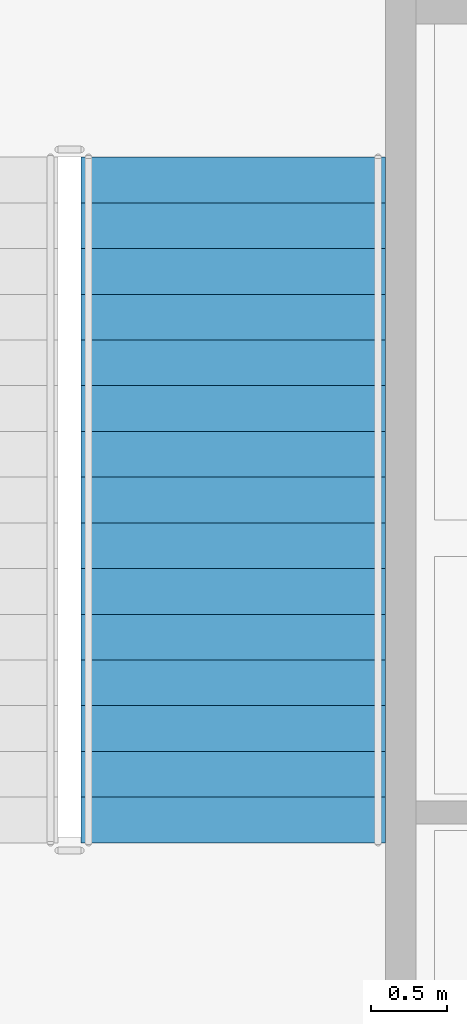
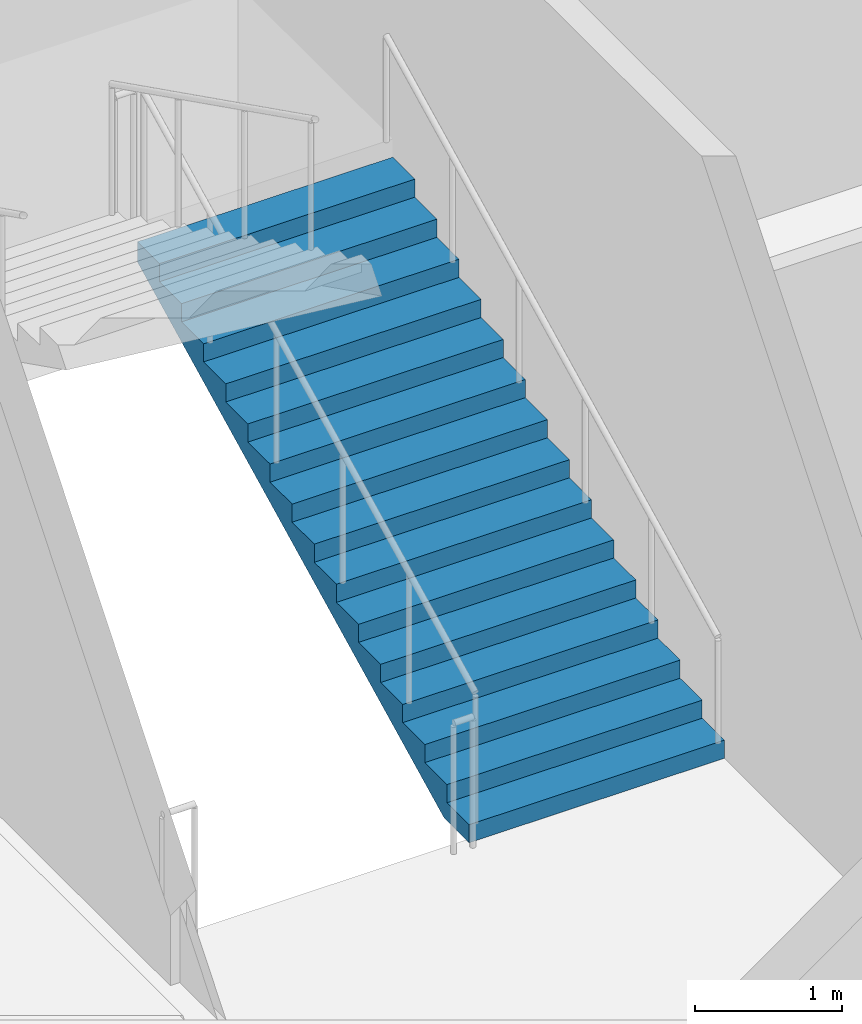
# One storey, part 55 of 91: 1 stair flight, 1 element without a shape of its own.
"""IFC4 building model written with IfcOpenShell, lengths in metres."""

from ifc_helpers import new_model, si_unit, direction, frame, origin, place, context, subcontext, project, spatial, faceted_brep, material, type_object, element, aggregate, save


model = new_model("IFC4")

# Units and contexts
model_context = context("Model", 3, precision=1e-05, world=origin(), true_north=direction((0.0, 1.0)))
body_context = subcontext(model_context, "Body", "Model", "MODEL_VIEW")
ifc_project = project(units=[si_unit("LENGTHUNIT", "METRE"), si_unit("AREAUNIT", "SQUARE_METRE"), si_unit("VOLUMEUNIT", "CUBIC_METRE"), si_unit("PLANEANGLEUNIT", "RADIAN"), si_unit("MASSUNIT", "GRAM", prefix="KILO")], contexts=[model_context])

# Site, building, storey
site_placement = place(None, origin())
site = spatial("IfcSite", under=ifc_project, at=site_placement, CompositionType="ELEMENT")
building_placement = place(site_placement, origin())
building = spatial("IfcBuilding", under=site, at=building_placement, Name="Kiln Court Media Centre", CompositionType="ELEMENT")
storey_placement = place(building_placement, frame((0.0, 0.0, 5.39990234375)))
storey = spatial("IfcBuildingStorey", under=building, at=storey_placement, Name="L01", CompositionType="ELEMENT", Elevation=5.39990234375)

# Stair, stair flight
ifc_material_1 = material(Name="Concrete C40/50", Category="concrete")
stair_type = type_object("IfcStairType", Name="Concrete C40/50 dog-leg stair 2000 wide, 150 riser", PredefinedType="HALF_TURN_STAIR", material=ifc_material_1)
stair_placement = place(storey_placement, origin())
stair = element("IfcStair", 1, at=stair_placement, inside=storey, type_object=stair_type, Name="ST-09 L01", PredefinedType="HALF_TURN_STAIR")
ifc_material_2 = material(Name="Concrete C40/50", Category="concrete")
stair_flight_type = type_object("IfcStairFlightType", Name="Concrete C40/50 stair flight 2000 wide, 150 riser, 300 going", PredefinedType="STRAIGHT", material=ifc_material_2)
stair_flight_placement = place(storey_placement, frame((66.0, 28.0, 0.0), z_axis=(0.0, 0.0, 1.0), x_axis=(0.0, 1.0, 0.0)))
stair_flight = element("IfcStairFlight", 2, at=stair_flight_placement, type_object=stair_flight_type, Name="L01-ST-5008 flight 5016", NumberOfRisers=16, NumberOfTreads=15, PredefinedType="STRAIGHT", RiserHeight=0.15, TreadLength=0.3, context=body_context, shape_type="Brep", body=[
    faceted_brep([(0.335205078125, -1.0, 0.0), (4.5, -1.0, 2.08251953125), (4.5, -1.0, 2.25), (4.199951171875, -1.0, 2.25), (4.199951171875, -1.0, 2.10009765625), (3.89990234375, -1.0, 2.10009765625), (3.89990234375, -1.0, 1.949951171875), (3.60009765625, -1.0, 1.949951171875), (3.60009765625, -1.0, 1.800048828125), (3.300048828125, -1.0, 1.800048828125), (3.300048828125, -1.0, 1.64990234375), (3.0, -1.0, 1.64990234375), (3.0, -1.0, 1.5), (2.699951171875, -1.0, 1.5), (2.699951171875, -1.0, 1.35009765625), (2.39990234375, -1.0, 1.35009765625), (2.39990234375, -1.0, 1.199951171875), (2.10009765625, -1.0, 1.199951171875), (2.10009765625, -1.0, 1.050048828125), (1.800048828125, -1.0, 1.050048828125), (1.800048828125, -1.0, 0.89990234375), (1.5, -1.0, 0.89990234375), (1.5, -1.0, 0.75), (1.199951171875, -1.0, 0.75), (1.199951171875, -1.0, 0.60009765625), (0.89990234375, -1.0, 0.60009765625), (0.89990234375, -1.0, 0.449951171875), (0.60009765625, -1.0, 0.449951171875), (0.60009765625, -1.0, 0.300048828125), (0.300048828125, -1.0, 0.300048828125), (0.300048828125, -1.0, 0.14990234375), (0.0, -1.0, 0.14990234375), (0.0, -1.0, 0.0), (0.0, 1.0, 0.0), (0.0, 1.0, 0.14990234375), (0.300048828125, 1.0, 0.14990234375), (0.300048828125, 1.0, 0.300048828125), (0.60009765625, 1.0, 0.300048828125), (0.60009765625, 1.0, 0.449951171875), (0.89990234375, 1.0, 0.449951171875), (0.89990234375, 1.0, 0.60009765625), (1.199951171875, 1.0, 0.60009765625), (1.199951171875, 1.0, 0.75), (1.5, 1.0, 0.75), (1.5, 1.0, 0.89990234375), (1.800048828125, 1.0, 0.89990234375), (1.800048828125, 1.0, 1.050048828125), (2.10009765625, 1.0, 1.050048828125), (2.10009765625, 1.0, 1.199951171875), (2.39990234375, 1.0, 1.199951171875), (2.39990234375, 1.0, 1.35009765625), (2.699951171875, 1.0, 1.35009765625), (2.699951171875, 1.0, 1.5), (3.0, 1.0, 1.5), (3.0, 1.0, 1.64990234375), (3.300048828125, 1.0, 1.64990234375), (3.300048828125, 1.0, 1.800048828125), (3.60009765625, 1.0, 1.800048828125), (3.60009765625, 1.0, 1.949951171875), (3.89990234375, 1.0, 1.949951171875), (3.89990234375, 1.0, 2.10009765625), (4.199951171875, 1.0, 2.10009765625), (4.199951171875, 1.0, 2.25), (4.5, 1.0, 2.25), (4.5, 1.0, 2.08251953125), (0.335205078125, 1.0, 0.0), (4.5, 0.10009765625, 2.08251953125), (0.335205078125, 0.10009765625, 0.0), (4.5, 0.080078125, 2.08251953125), (0.335205078125, 0.080078125, 0.0), (4.5, 0.06005859375, 2.08251953125), (0.335205078125, 0.06005859375, 0.0), (4.5, 0.0400390625, 2.08251953125), (0.335205078125, 0.0400390625, 0.0), (4.5, 0.02001953125, 2.08251953125), (0.335205078125, 0.02001953125, 0.0), (4.5, 0.0, 2.08251953125), (0.335205078125, 0.0, 0.0), (4.5, -0.02001953125, 2.08251953125), (0.335205078125, -0.02001953125, 0.0), (4.5, -0.0400390625, 2.08251953125), (0.335205078125, -0.0400390625, 0.0), (4.5, -0.06005859375, 2.08251953125), (0.335205078125, -0.06005859375, 0.0), (4.5, -0.080078125, 2.08251953125), (0.335205078125, -0.080078125, 0.0), (4.5, -0.10009765625, 2.08251953125), (0.335205078125, -0.10009765625, 0.0), (4.5, 0.10009765625, 2.25), (4.5, 0.080078125, 2.25), (4.5, 0.06005859375, 2.25), (4.5, 0.0400390625, 2.25), (4.5, 0.02001953125, 2.25), (4.5, 0.0, 2.25), (4.5, -0.02001953125, 2.25), (4.5, -0.0400390625, 2.25), (4.5, -0.06005859375, 2.25), (4.5, -0.080078125, 2.25), (4.5, -0.10009765625, 2.25), (4.199951171875, 0.10009765625, 2.25), (4.199951171875, 0.080078125, 2.25), (4.199951171875, 0.06005859375, 2.25), (4.199951171875, 0.0400390625, 2.25), (4.199951171875, 0.02001953125, 2.25), (4.199951171875, 0.0, 2.25), (4.199951171875, -0.02001953125, 2.25), (4.199951171875, -0.0400390625, 2.25), (4.199951171875, -0.06005859375, 2.25), (4.199951171875, -0.080078125, 2.25), (4.199951171875, -0.10009765625, 2.25), (4.199951171875, 0.10009765625, 2.10009765625), (4.199951171875, 0.080078125, 2.10009765625), (4.199951171875, 0.06005859375, 2.10009765625), (4.199951171875, 0.0400390625, 2.10009765625), (4.199951171875, 0.02001953125, 2.10009765625), (4.199951171875, 0.0, 2.10009765625), (4.199951171875, -0.02001953125, 2.10009765625), (4.199951171875, -0.0400390625, 2.10009765625), (4.199951171875, -0.06005859375, 2.10009765625), (4.199951171875, -0.080078125, 2.10009765625), (4.199951171875, -0.10009765625, 2.10009765625), (3.89990234375, 0.10009765625, 2.10009765625), (3.89990234375, 0.080078125, 2.10009765625), (3.89990234375, 0.06005859375, 2.10009765625), (3.89990234375, 0.0400390625, 2.10009765625), (3.89990234375, 0.02001953125, 2.10009765625), (3.89990234375, 0.0, 2.10009765625), (3.89990234375, -0.02001953125, 2.10009765625), (3.89990234375, -0.0400390625, 2.10009765625), (3.89990234375, -0.06005859375, 2.10009765625), (3.89990234375, -0.080078125, 2.10009765625), (3.89990234375, -0.10009765625, 2.10009765625), (3.89990234375, 0.10009765625, 1.949951171875), (3.89990234375, 0.080078125, 1.949951171875), (3.89990234375, 0.06005859375, 1.949951171875), (3.89990234375, 0.0400390625, 1.949951171875), (3.89990234375, 0.02001953125, 1.949951171875), (3.89990234375, 0.0, 1.949951171875), (3.89990234375, -0.02001953125, 1.949951171875), (3.89990234375, -0.0400390625, 1.949951171875), (3.89990234375, -0.06005859375, 1.949951171875), (3.89990234375, -0.080078125, 1.949951171875), (3.89990234375, -0.10009765625, 1.949951171875), (3.60009765625, 0.10009765625, 1.949951171875), (3.60009765625, 0.080078125, 1.949951171875), (3.60009765625, 0.06005859375, 1.949951171875), (3.60009765625, 0.0400390625, 1.949951171875), (3.60009765625, 0.02001953125, 1.949951171875), (3.60009765625, 0.0, 1.949951171875), (3.60009765625, -0.02001953125, 1.949951171875), (3.60009765625, -0.0400390625, 1.949951171875), (3.60009765625, -0.06005859375, 1.949951171875), (3.60009765625, -0.080078125, 1.949951171875), (3.60009765625, -0.10009765625, 1.949951171875), (3.60009765625, 0.10009765625, 1.800048828125), (3.60009765625, 0.080078125, 1.800048828125), (3.60009765625, 0.06005859375, 1.800048828125), (3.60009765625, 0.0400390625, 1.800048828125), (3.60009765625, 0.02001953125, 1.800048828125), (3.60009765625, 0.0, 1.800048828125), (3.60009765625, -0.02001953125, 1.800048828125), (3.60009765625, -0.0400390625, 1.800048828125), (3.60009765625, -0.06005859375, 1.800048828125), (3.60009765625, -0.080078125, 1.800048828125), (3.60009765625, -0.10009765625, 1.800048828125), (3.300048828125, 0.10009765625, 1.800048828125), (3.300048828125, 0.080078125, 1.800048828125), (3.300048828125, 0.06005859375, 1.800048828125), (3.300048828125, 0.0400390625, 1.800048828125), (3.300048828125, 0.02001953125, 1.800048828125), (3.300048828125, 0.0, 1.800048828125), (3.300048828125, -0.02001953125, 1.800048828125), (3.300048828125, -0.0400390625, 1.800048828125), (3.300048828125, -0.06005859375, 1.800048828125), (3.300048828125, -0.080078125, 1.800048828125), (3.300048828125, -0.10009765625, 1.800048828125), (3.300048828125, 0.10009765625, 1.64990234375), (3.300048828125, 0.080078125, 1.64990234375), (3.300048828125, 0.06005859375, 1.64990234375), (3.300048828125, 0.0400390625, 1.64990234375), (3.300048828125, 0.02001953125, 1.64990234375), (3.300048828125, 0.0, 1.64990234375), (3.300048828125, -0.02001953125, 1.64990234375), (3.300048828125, -0.0400390625, 1.64990234375), (3.300048828125, -0.06005859375, 1.64990234375), (3.300048828125, -0.080078125, 1.64990234375), (3.300048828125, -0.10009765625, 1.64990234375), (3.0, 0.10009765625, 1.64990234375), (3.0, 0.080078125, 1.64990234375), (3.0, 0.06005859375, 1.64990234375), (3.0, 0.0400390625, 1.64990234375), (3.0, 0.02001953125, 1.64990234375), (3.0, 0.0, 1.64990234375), (3.0, -0.02001953125, 1.64990234375), (3.0, -0.0400390625, 1.64990234375), (3.0, -0.06005859375, 1.64990234375), (3.0, -0.080078125, 1.64990234375), (3.0, -0.10009765625, 1.64990234375), (3.0, 0.10009765625, 1.5), (3.0, 0.080078125, 1.5), (3.0, 0.06005859375, 1.5), (3.0, 0.0400390625, 1.5), (3.0, 0.02001953125, 1.5), (3.0, 0.0, 1.5), (3.0, -0.02001953125, 1.5), (3.0, -0.0400390625, 1.5), (3.0, -0.06005859375, 1.5), (3.0, -0.080078125, 1.5), (3.0, -0.10009765625, 1.5), (2.699951171875, 0.10009765625, 1.5), (2.699951171875, 0.080078125, 1.5), (2.699951171875, 0.06005859375, 1.5), (2.699951171875, 0.0400390625, 1.5), (2.699951171875, 0.02001953125, 1.5), (2.699951171875, 0.0, 1.5), (2.699951171875, -0.02001953125, 1.5), (2.699951171875, -0.0400390625, 1.5), (2.699951171875, -0.06005859375, 1.5), (2.699951171875, -0.080078125, 1.5), (2.699951171875, -0.10009765625, 1.5), (2.699951171875, 0.10009765625, 1.35009765625), (2.699951171875, 0.080078125, 1.35009765625), (2.699951171875, 0.06005859375, 1.35009765625), (2.699951171875, 0.0400390625, 1.35009765625), (2.699951171875, 0.02001953125, 1.35009765625), (2.699951171875, 0.0, 1.35009765625), (2.699951171875, -0.02001953125, 1.35009765625), (2.699951171875, -0.0400390625, 1.35009765625), (2.699951171875, -0.06005859375, 1.35009765625), (2.699951171875, -0.080078125, 1.35009765625), (2.699951171875, -0.10009765625, 1.35009765625), (2.39990234375, 0.10009765625, 1.35009765625), (2.39990234375, 0.080078125, 1.35009765625), (2.39990234375, 0.06005859375, 1.35009765625), (2.39990234375, 0.0400390625, 1.35009765625), (2.39990234375, 0.02001953125, 1.35009765625), (2.39990234375, 0.0, 1.35009765625), (2.39990234375, -0.02001953125, 1.35009765625), (2.39990234375, -0.0400390625, 1.35009765625), (2.39990234375, -0.06005859375, 1.35009765625), (2.39990234375, -0.080078125, 1.35009765625), (2.39990234375, -0.10009765625, 1.35009765625), (2.39990234375, 0.10009765625, 1.199951171875), (2.39990234375, 0.080078125, 1.199951171875), (2.39990234375, 0.06005859375, 1.199951171875), (2.39990234375, 0.0400390625, 1.199951171875), (2.39990234375, 0.02001953125, 1.199951171875), (2.39990234375, 0.0, 1.199951171875), (2.39990234375, -0.02001953125, 1.199951171875), (2.39990234375, -0.0400390625, 1.199951171875), (2.39990234375, -0.06005859375, 1.199951171875), (2.39990234375, -0.080078125, 1.199951171875), (2.39990234375, -0.10009765625, 1.199951171875), (2.10009765625, 0.10009765625, 1.199951171875), (2.10009765625, 0.080078125, 1.199951171875), (2.10009765625, 0.06005859375, 1.199951171875), (2.10009765625, 0.0400390625, 1.199951171875), (2.10009765625, 0.02001953125, 1.199951171875), (2.10009765625, 0.0, 1.199951171875), (2.10009765625, -0.02001953125, 1.199951171875), (2.10009765625, -0.0400390625, 1.199951171875), (2.10009765625, -0.06005859375, 1.199951171875), (2.10009765625, -0.080078125, 1.199951171875), (2.10009765625, -0.10009765625, 1.199951171875), (2.10009765625, 0.10009765625, 1.050048828125), (2.10009765625, 0.080078125, 1.050048828125), (2.10009765625, 0.06005859375, 1.050048828125), (2.10009765625, 0.0400390625, 1.050048828125), (2.10009765625, 0.02001953125, 1.050048828125), (2.10009765625, 0.0, 1.050048828125), (2.10009765625, -0.02001953125, 1.050048828125), (2.10009765625, -0.0400390625, 1.050048828125), (2.10009765625, -0.06005859375, 1.050048828125), (2.10009765625, -0.080078125, 1.050048828125), (2.10009765625, -0.10009765625, 1.050048828125), (1.800048828125, 0.10009765625, 1.050048828125), (1.800048828125, 0.080078125, 1.050048828125), (1.800048828125, 0.06005859375, 1.050048828125), (1.800048828125, 0.0400390625, 1.050048828125), (1.800048828125, 0.02001953125, 1.050048828125), (1.800048828125, 0.0, 1.050048828125), (1.800048828125, -0.02001953125, 1.050048828125), (1.800048828125, -0.0400390625, 1.050048828125), (1.800048828125, -0.06005859375, 1.050048828125), (1.800048828125, -0.080078125, 1.050048828125), (1.800048828125, -0.10009765625, 1.050048828125), (1.800048828125, 0.10009765625, 0.89990234375), (1.800048828125, 0.080078125, 0.89990234375), (1.800048828125, 0.06005859375, 0.89990234375), (1.800048828125, 0.0400390625, 0.89990234375), (1.800048828125, 0.02001953125, 0.89990234375), (1.800048828125, 0.0, 0.89990234375), (1.800048828125, -0.02001953125, 0.89990234375), (1.800048828125, -0.0400390625, 0.89990234375), (1.800048828125, -0.06005859375, 0.89990234375), (1.800048828125, -0.080078125, 0.89990234375), (1.800048828125, -0.10009765625, 0.89990234375), (1.5, 0.10009765625, 0.89990234375), (1.5, 0.080078125, 0.89990234375), (1.5, 0.06005859375, 0.89990234375), (1.5, 0.0400390625, 0.89990234375), (1.5, 0.02001953125, 0.89990234375), (1.5, 0.0, 0.89990234375), (1.5, -0.02001953125, 0.89990234375), (1.5, -0.0400390625, 0.89990234375), (1.5, -0.06005859375, 0.89990234375), (1.5, -0.080078125, 0.89990234375), (1.5, -0.10009765625, 0.89990234375), (1.5, 0.10009765625, 0.75), (1.5, 0.080078125, 0.75), (1.5, 0.06005859375, 0.75), (1.5, 0.0400390625, 0.75), (1.5, 0.02001953125, 0.75), (1.5, 0.0, 0.75), (1.5, -0.02001953125, 0.75), (1.5, -0.0400390625, 0.75), (1.5, -0.06005859375, 0.75), (1.5, -0.080078125, 0.75), (1.5, -0.10009765625, 0.75), (1.199951171875, 0.10009765625, 0.75), (1.199951171875, 0.080078125, 0.75), (1.199951171875, 0.06005859375, 0.75), (1.199951171875, 0.0400390625, 0.75), (1.199951171875, 0.02001953125, 0.75), (1.199951171875, 0.0, 0.75), (1.199951171875, -0.02001953125, 0.75), (1.199951171875, -0.0400390625, 0.75), (1.199951171875, -0.06005859375, 0.75), (1.199951171875, -0.080078125, 0.75), (1.199951171875, -0.10009765625, 0.75), (1.199951171875, 0.10009765625, 0.60009765625), (1.199951171875, 0.080078125, 0.60009765625), (1.199951171875, 0.06005859375, 0.60009765625), (1.199951171875, 0.0400390625, 0.60009765625), (1.199951171875, 0.02001953125, 0.60009765625), (1.199951171875, 0.0, 0.60009765625), (1.199951171875, -0.02001953125, 0.60009765625), (1.199951171875, -0.0400390625, 0.60009765625), (1.199951171875, -0.06005859375, 0.60009765625), (1.199951171875, -0.080078125, 0.60009765625), (1.199951171875, -0.10009765625, 0.60009765625), (0.89990234375, 0.10009765625, 0.60009765625), (0.89990234375, 0.080078125, 0.60009765625), (0.89990234375, 0.06005859375, 0.60009765625), (0.89990234375, 0.0400390625, 0.60009765625), (0.89990234375, 0.02001953125, 0.60009765625), (0.89990234375, 0.0, 0.60009765625), (0.89990234375, -0.02001953125, 0.60009765625), (0.89990234375, -0.0400390625, 0.60009765625), (0.89990234375, -0.06005859375, 0.60009765625), (0.89990234375, -0.080078125, 0.60009765625), (0.89990234375, -0.10009765625, 0.60009765625), (0.89990234375, 0.10009765625, 0.449951171875), (0.89990234375, 0.080078125, 0.449951171875), (0.89990234375, 0.06005859375, 0.449951171875), (0.89990234375, 0.0400390625, 0.449951171875), (0.89990234375, 0.02001953125, 0.449951171875), (0.89990234375, 0.0, 0.449951171875), (0.89990234375, -0.02001953125, 0.449951171875), (0.89990234375, -0.0400390625, 0.449951171875), (0.89990234375, -0.06005859375, 0.449951171875), (0.89990234375, -0.080078125, 0.449951171875), (0.89990234375, -0.10009765625, 0.449951171875), (0.60009765625, 0.10009765625, 0.449951171875), (0.60009765625, 0.080078125, 0.449951171875), (0.60009765625, 0.06005859375, 0.449951171875), (0.60009765625, 0.0400390625, 0.449951171875), (0.60009765625, 0.02001953125, 0.449951171875), (0.60009765625, 0.0, 0.449951171875), (0.60009765625, -0.02001953125, 0.449951171875), (0.60009765625, -0.0400390625, 0.449951171875), (0.60009765625, -0.06005859375, 0.449951171875), (0.60009765625, -0.080078125, 0.449951171875), (0.60009765625, -0.10009765625, 0.449951171875), (0.60009765625, 0.10009765625, 0.300048828125), (0.60009765625, 0.080078125, 0.300048828125), (0.60009765625, 0.06005859375, 0.300048828125), (0.60009765625, 0.0400390625, 0.300048828125), (0.60009765625, 0.02001953125, 0.300048828125), (0.60009765625, 0.0, 0.300048828125), (0.60009765625, -0.02001953125, 0.300048828125), (0.60009765625, -0.0400390625, 0.300048828125), (0.60009765625, -0.06005859375, 0.300048828125), (0.60009765625, -0.080078125, 0.300048828125), (0.60009765625, -0.10009765625, 0.300048828125), (0.300048828125, 0.10009765625, 0.300048828125), (0.300048828125, 0.080078125, 0.300048828125), (0.300048828125, 0.06005859375, 0.300048828125), (0.300048828125, 0.0400390625, 0.300048828125), (0.300048828125, 0.02001953125, 0.300048828125), (0.300048828125, 0.0, 0.300048828125), (0.300048828125, -0.02001953125, 0.300048828125), (0.300048828125, -0.0400390625, 0.300048828125), (0.300048828125, -0.06005859375, 0.300048828125), (0.300048828125, -0.080078125, 0.300048828125), (0.300048828125, -0.10009765625, 0.300048828125), (0.300048828125, 0.10009765625, 0.14990234375), (0.300048828125, 0.080078125, 0.14990234375), (0.300048828125, 0.06005859375, 0.14990234375), (0.300048828125, 0.0400390625, 0.14990234375), (0.300048828125, 0.02001953125, 0.14990234375), (0.300048828125, 0.0, 0.14990234375), (0.300048828125, -0.02001953125, 0.14990234375), (0.300048828125, -0.0400390625, 0.14990234375), (0.300048828125, -0.06005859375, 0.14990234375), (0.300048828125, -0.080078125, 0.14990234375), (0.300048828125, -0.10009765625, 0.14990234375), (0.0, 0.10009765625, 0.14990234375), (0.0, 0.080078125, 0.14990234375), (0.0, 0.06005859375, 0.14990234375), (0.0, 0.0400390625, 0.14990234375), (0.0, 0.02001953125, 0.14990234375), (0.0, 0.0, 0.14990234375), (0.0, -0.02001953125, 0.14990234375), (0.0, -0.0400390625, 0.14990234375), (0.0, -0.06005859375, 0.14990234375), (0.0, -0.080078125, 0.14990234375), (0.0, -0.10009765625, 0.14990234375), (0.0, 0.10009765625, 0.0), (0.0, 0.080078125, 0.0), (0.0, 0.06005859375, 0.0), (0.0, 0.0400390625, 0.0), (0.0, 0.02001953125, 0.0), (0.0, 0.0, 0.0), (0.0, -0.02001953125, 0.0), (0.0, -0.0400390625, 0.0), (0.0, -0.06005859375, 0.0), (0.0, -0.080078125, 0.0), (0.0, -0.10009765625, 0.0)], [[[0, 1, 2, 3, 4, 5, 6, 7, 8, 9, 10, 11, 12, 13, 14, 15, 16, 17, 18, 19, 20, 21, 22, 23, 24, 25, 26, 27, 28, 29, 30, 31, 32]], [[33, 34, 35, 36, 37, 38, 39, 40, 41, 42, 43, 44, 45, 46, 47, 48, 49, 50, 51, 52, 53, 54, 55, 56, 57, 58, 59, 60, 61, 62, 63, 64, 65]], [[65, 64, 66, 67]], [[67, 66, 68, 69]], [[69, 68, 70, 71]], [[71, 70, 72, 73]], [[73, 72, 74, 75]], [[75, 74, 76, 77]], [[77, 76, 78, 79]], [[79, 78, 80, 81]], [[81, 80, 82, 83]], [[83, 82, 84, 85]], [[85, 84, 86, 87]], [[87, 86, 1, 0]], [[64, 63, 88, 66]], [[66, 88, 89, 68]], [[68, 89, 90, 70]], [[70, 90, 91, 72]], [[72, 91, 92, 74]], [[74, 92, 93, 76]], [[76, 93, 94, 78]], [[78, 94, 95, 80]], [[80, 95, 96, 82]], [[82, 96, 97, 84]], [[84, 97, 98, 86]], [[86, 98, 2, 1]], [[63, 62, 99, 88]], [[88, 99, 100, 89]], [[89, 100, 101, 90]], [[90, 101, 102, 91]], [[91, 102, 103, 92]], [[92, 103, 104, 93]], [[93, 104, 105, 94]], [[94, 105, 106, 95]], [[95, 106, 107, 96]], [[96, 107, 108, 97]], [[97, 108, 109, 98]], [[98, 109, 3, 2]], [[62, 61, 110, 99]], [[99, 110, 111, 100]], [[100, 111, 112, 101]], [[101, 112, 113, 102]], [[102, 113, 114, 103]], [[103, 114, 115, 104]], [[104, 115, 116, 105]], [[105, 116, 117, 106]], [[106, 117, 118, 107]], [[107, 118, 119, 108]], [[108, 119, 120, 109]], [[109, 120, 4, 3]], [[61, 60, 121, 110]], [[110, 121, 122, 111]], [[111, 122, 123, 112]], [[112, 123, 124, 113]], [[113, 124, 125, 114]], [[114, 125, 126, 115]], [[115, 126, 127, 116]], [[116, 127, 128, 117]], [[117, 128, 129, 118]], [[118, 129, 130, 119]], [[119, 130, 131, 120]], [[120, 131, 5, 4]], [[60, 59, 132, 121]], [[121, 132, 133, 122]], [[122, 133, 134, 123]], [[123, 134, 135, 124]], [[124, 135, 136, 125]], [[125, 136, 137, 126]], [[126, 137, 138, 127]], [[127, 138, 139, 128]], [[128, 139, 140, 129]], [[129, 140, 141, 130]], [[130, 141, 142, 131]], [[131, 142, 6, 5]], [[59, 58, 143, 132]], [[132, 143, 144, 133]], [[133, 144, 145, 134]], [[134, 145, 146, 135]], [[135, 146, 147, 136]], [[136, 147, 148, 137]], [[137, 148, 149, 138]], [[138, 149, 150, 139]], [[139, 150, 151, 140]], [[140, 151, 152, 141]], [[141, 152, 153, 142]], [[142, 153, 7, 6]], [[58, 57, 154, 143]], [[143, 154, 155, 144]], [[144, 155, 156, 145]], [[145, 156, 157, 146]], [[146, 157, 158, 147]], [[147, 158, 159, 148]], [[148, 159, 160, 149]], [[149, 160, 161, 150]], [[150, 161, 162, 151]], [[151, 162, 163, 152]], [[152, 163, 164, 153]], [[153, 164, 8, 7]], [[57, 56, 165, 154]], [[154, 165, 166, 155]], [[155, 166, 167, 156]], [[156, 167, 168, 157]], [[157, 168, 169, 158]], [[158, 169, 170, 159]], [[159, 170, 171, 160]], [[160, 171, 172, 161]], [[161, 172, 173, 162]], [[162, 173, 174, 163]], [[163, 174, 175, 164]], [[164, 175, 9, 8]], [[56, 55, 176, 165]], [[165, 176, 177, 166]], [[166, 177, 178, 167]], [[167, 178, 179, 168]], [[168, 179, 180, 169]], [[169, 180, 181, 170]], [[170, 181, 182, 171]], [[171, 182, 183, 172]], [[172, 183, 184, 173]], [[173, 184, 185, 174]], [[174, 185, 186, 175]], [[175, 186, 10, 9]], [[55, 54, 187, 176]], [[176, 187, 188, 177]], [[177, 188, 189, 178]], [[178, 189, 190, 179]], [[179, 190, 191, 180]], [[180, 191, 192, 181]], [[181, 192, 193, 182]], [[182, 193, 194, 183]], [[183, 194, 195, 184]], [[184, 195, 196, 185]], [[185, 196, 197, 186]], [[186, 197, 11, 10]], [[54, 53, 198, 187]], [[187, 198, 199, 188]], [[188, 199, 200, 189]], [[189, 200, 201, 190]], [[190, 201, 202, 191]], [[191, 202, 203, 192]], [[192, 203, 204, 193]], [[193, 204, 205, 194]], [[194, 205, 206, 195]], [[195, 206, 207, 196]], [[196, 207, 208, 197]], [[197, 208, 12, 11]], [[53, 52, 209, 198]], [[198, 209, 210, 199]], [[199, 210, 211, 200]], [[200, 211, 212, 201]], [[201, 212, 213, 202]], [[202, 213, 214, 203]], [[203, 214, 215, 204]], [[204, 215, 216, 205]], [[205, 216, 217, 206]], [[206, 217, 218, 207]], [[207, 218, 219, 208]], [[208, 219, 13, 12]], [[52, 51, 220, 209]], [[209, 220, 221, 210]], [[210, 221, 222, 211]], [[211, 222, 223, 212]], [[212, 223, 224, 213]], [[213, 224, 225, 214]], [[214, 225, 226, 215]], [[215, 226, 227, 216]], [[216, 227, 228, 217]], [[217, 228, 229, 218]], [[218, 229, 230, 219]], [[219, 230, 14, 13]], [[51, 50, 231, 220]], [[220, 231, 232, 221]], [[221, 232, 233, 222]], [[222, 233, 234, 223]], [[223, 234, 235, 224]], [[224, 235, 236, 225]], [[225, 236, 237, 226]], [[226, 237, 238, 227]], [[227, 238, 239, 228]], [[228, 239, 240, 229]], [[229, 240, 241, 230]], [[230, 241, 15, 14]], [[50, 49, 242, 231]], [[231, 242, 243, 232]], [[232, 243, 244, 233]], [[233, 244, 245, 234]], [[234, 245, 246, 235]], [[235, 246, 247, 236]], [[236, 247, 248, 237]], [[237, 248, 249, 238]], [[238, 249, 250, 239]], [[239, 250, 251, 240]], [[240, 251, 252, 241]], [[241, 252, 16, 15]], [[49, 48, 253, 242]], [[242, 253, 254, 243]], [[243, 254, 255, 244]], [[244, 255, 256, 245]], [[245, 256, 257, 246]], [[246, 257, 258, 247]], [[247, 258, 259, 248]], [[248, 259, 260, 249]], [[249, 260, 261, 250]], [[250, 261, 262, 251]], [[251, 262, 263, 252]], [[252, 263, 17, 16]], [[48, 47, 264, 253]], [[253, 264, 265, 254]], [[254, 265, 266, 255]], [[255, 266, 267, 256]], [[256, 267, 268, 257]], [[257, 268, 269, 258]], [[258, 269, 270, 259]], [[259, 270, 271, 260]], [[260, 271, 272, 261]], [[261, 272, 273, 262]], [[262, 273, 274, 263]], [[263, 274, 18, 17]], [[47, 46, 275, 264]], [[264, 275, 276, 265]], [[265, 276, 277, 266]], [[266, 277, 278, 267]], [[267, 278, 279, 268]], [[268, 279, 280, 269]], [[269, 280, 281, 270]], [[270, 281, 282, 271]], [[271, 282, 283, 272]], [[272, 283, 284, 273]], [[273, 284, 285, 274]], [[274, 285, 19, 18]], [[46, 45, 286, 275]], [[275, 286, 287, 276]], [[276, 287, 288, 277]], [[277, 288, 289, 278]], [[278, 289, 290, 279]], [[279, 290, 291, 280]], [[280, 291, 292, 281]], [[281, 292, 293, 282]], [[282, 293, 294, 283]], [[283, 294, 295, 284]], [[284, 295, 296, 285]], [[285, 296, 20, 19]], [[45, 44, 297, 286]], [[286, 297, 298, 287]], [[287, 298, 299, 288]], [[288, 299, 300, 289]], [[289, 300, 301, 290]], [[290, 301, 302, 291]], [[291, 302, 303, 292]], [[292, 303, 304, 293]], [[293, 304, 305, 294]], [[294, 305, 306, 295]], [[295, 306, 307, 296]], [[296, 307, 21, 20]], [[44, 43, 308, 297]], [[297, 308, 309, 298]], [[298, 309, 310, 299]], [[299, 310, 311, 300]], [[300, 311, 312, 301]], [[301, 312, 313, 302]], [[302, 313, 314, 303]], [[303, 314, 315, 304]], [[304, 315, 316, 305]], [[305, 316, 317, 306]], [[306, 317, 318, 307]], [[307, 318, 22, 21]], [[43, 42, 319, 308]], [[308, 319, 320, 309]], [[309, 320, 321, 310]], [[310, 321, 322, 311]], [[311, 322, 323, 312]], [[312, 323, 324, 313]], [[313, 324, 325, 314]], [[314, 325, 326, 315]], [[315, 326, 327, 316]], [[316, 327, 328, 317]], [[317, 328, 329, 318]], [[318, 329, 23, 22]], [[42, 41, 330, 319]], [[319, 330, 331, 320]], [[320, 331, 332, 321]], [[321, 332, 333, 322]], [[322, 333, 334, 323]], [[323, 334, 335, 324]], [[324, 335, 336, 325]], [[325, 336, 337, 326]], [[326, 337, 338, 327]], [[327, 338, 339, 328]], [[328, 339, 340, 329]], [[329, 340, 24, 23]], [[41, 40, 341, 330]], [[330, 341, 342, 331]], [[331, 342, 343, 332]], [[332, 343, 344, 333]], [[333, 344, 345, 334]], [[334, 345, 346, 335]], [[335, 346, 347, 336]], [[336, 347, 348, 337]], [[337, 348, 349, 338]], [[338, 349, 350, 339]], [[339, 350, 351, 340]], [[340, 351, 25, 24]], [[40, 39, 352, 341]], [[341, 352, 353, 342]], [[342, 353, 354, 343]], [[343, 354, 355, 344]], [[344, 355, 356, 345]], [[345, 356, 357, 346]], [[346, 357, 358, 347]], [[347, 358, 359, 348]], [[348, 359, 360, 349]], [[349, 360, 361, 350]], [[350, 361, 362, 351]], [[351, 362, 26, 25]], [[39, 38, 363, 352]], [[352, 363, 364, 353]], [[353, 364, 365, 354]], [[354, 365, 366, 355]], [[355, 366, 367, 356]], [[356, 367, 368, 357]], [[357, 368, 369, 358]], [[358, 369, 370, 359]], [[359, 370, 371, 360]], [[360, 371, 372, 361]], [[361, 372, 373, 362]], [[362, 373, 27, 26]], [[38, 37, 374, 363]], [[363, 374, 375, 364]], [[364, 375, 376, 365]], [[365, 376, 377, 366]], [[366, 377, 378, 367]], [[367, 378, 379, 368]], [[368, 379, 380, 369]], [[369, 380, 381, 370]], [[370, 381, 382, 371]], [[371, 382, 383, 372]], [[372, 383, 384, 373]], [[373, 384, 28, 27]], [[37, 36, 385, 374]], [[374, 385, 386, 375]], [[375, 386, 387, 376]], [[376, 387, 388, 377]], [[377, 388, 389, 378]], [[378, 389, 390, 379]], [[379, 390, 391, 380]], [[380, 391, 392, 381]], [[381, 392, 393, 382]], [[382, 393, 394, 383]], [[383, 394, 395, 384]], [[384, 395, 29, 28]], [[36, 35, 396, 385]], [[385, 396, 397, 386]], [[386, 397, 398, 387]], [[387, 398, 399, 388]], [[388, 399, 400, 389]], [[389, 400, 401, 390]], [[390, 401, 402, 391]], [[391, 402, 403, 392]], [[392, 403, 404, 393]], [[393, 404, 405, 394]], [[394, 405, 406, 395]], [[395, 406, 30, 29]], [[35, 34, 407, 396]], [[396, 407, 408, 397]], [[397, 408, 409, 398]], [[398, 409, 410, 399]], [[399, 410, 411, 400]], [[400, 411, 412, 401]], [[401, 412, 413, 402]], [[402, 413, 414, 403]], [[403, 414, 415, 404]], [[404, 415, 416, 405]], [[405, 416, 417, 406]], [[406, 417, 31, 30]], [[34, 33, 418, 407]], [[407, 418, 419, 408]], [[408, 419, 420, 409]], [[409, 420, 421, 410]], [[410, 421, 422, 411]], [[411, 422, 423, 412]], [[412, 423, 424, 413]], [[413, 424, 425, 414]], [[414, 425, 426, 415]], [[415, 426, 427, 416]], [[416, 427, 428, 417]], [[417, 428, 32, 31]], [[33, 65, 67, 418]], [[418, 67, 69, 419]], [[419, 69, 71, 420]], [[420, 71, 73, 421]], [[421, 73, 75, 422]], [[422, 75, 77, 423]], [[423, 77, 79, 424]], [[424, 79, 81, 425]], [[425, 81, 83, 426]], [[426, 83, 85, 427]], [[427, 85, 87, 428]], [[428, 87, 0, 32]]]),
])
aggregate(stair, [stair_flight])

save(model, "model.ifc")
